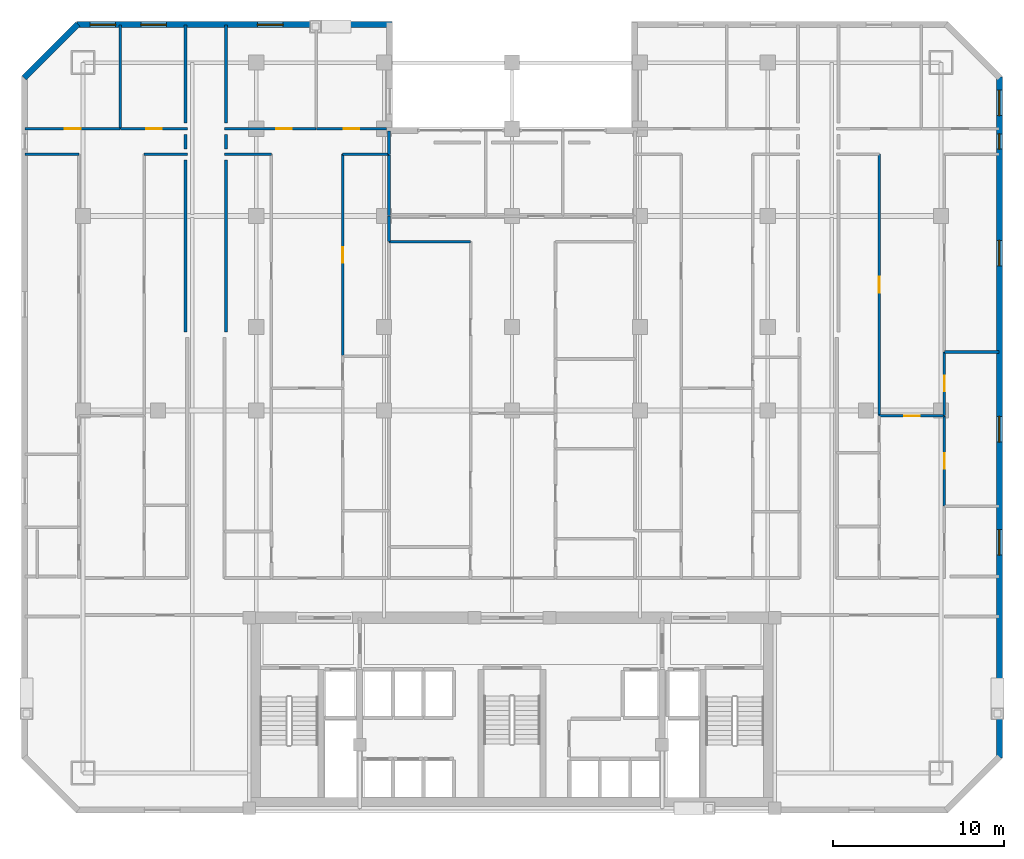
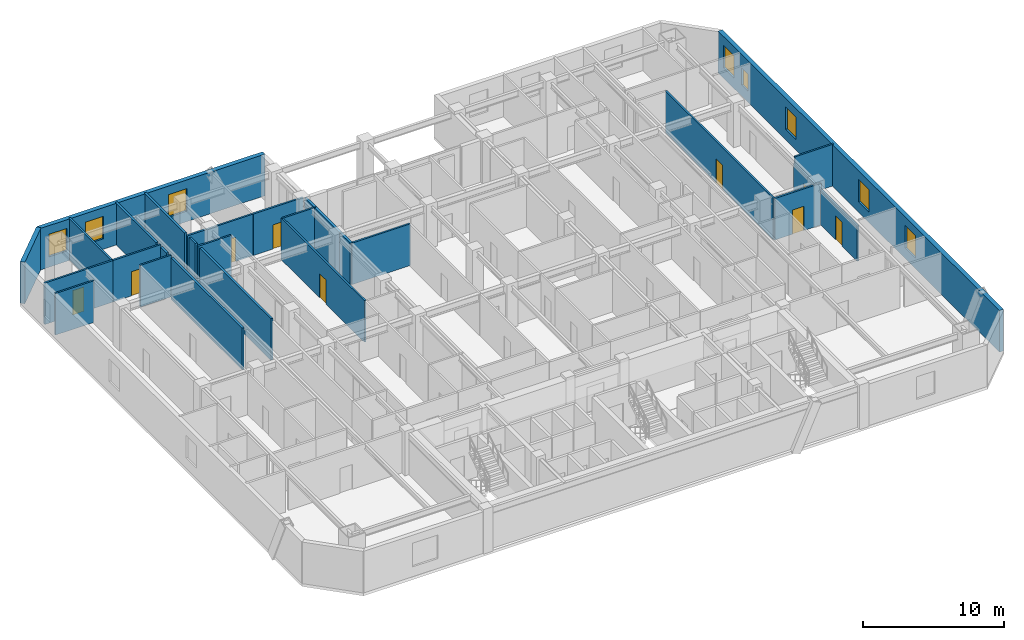
# One storey, part 11 of 14: 28 walls, 9 doors, 8 windows, 17 openings.
"""IFC4 building model written with IfcOpenShell, lengths in metres."""

from ifc_helpers import new_model, si_unit, direction, frame, frame_2d, origin, place, context, subcontext, project, spatial, rectangle, extrude, material, layer, layer_set, type_object, element, fill, save


model = new_model("IFC4")

# Units and contexts
model_context = context("Model", 3, precision=1e-05, world=origin(), true_north=direction((0.0, 1.0)))
body_context = subcontext(model_context, "Body", "Model", "MODEL_VIEW")
ifc_project = project(units=[si_unit("LENGTHUNIT", "METRE"), si_unit("AREAUNIT", "SQUARE_METRE"), si_unit("VOLUMEUNIT", "CUBIC_METRE"), si_unit("PLANEANGLEUNIT", "RADIAN"), si_unit("MASSUNIT", "GRAM", prefix="KILO")], contexts=[model_context])

# Site, building, storey
site_placement = place(None, origin())
site = spatial("IfcSite", under=ifc_project, at=site_placement, CompositionType="ELEMENT")
building_placement = place(site_placement, origin())
building = spatial("IfcBuilding", under=site, at=building_placement, Name="Ventersveld Concourse Tower", CompositionType="ELEMENT")
storey_placement = place(building_placement, frame((0.0, 0.0, 81.050048828125)))
storey = spatial("IfcBuildingStorey", under=building, at=storey_placement, Name="L19", CompositionType="ELEMENT", Elevation=81.050048828125)

# Walls
ifc_material_1 = material(Name="Fire-rated autoclaved aerated masonry blockwork", Category="masonry")
ifc_layer_1 = layer(ifc_material_1, 0.179931640625)
ifc_layer_set_1 = layer_set([ifc_layer_1], Name="Fire-rated autoclaved aerated masonry blockwork")
wall_type_1 = type_object("IfcWallType", Name="WL-CORR-180", PredefinedType="PARTITIONING", material=ifc_layer_set_1)
wall_1_placement = place(storey_placement, frame((9.6201171875, 39.794921875, 0.0), z_axis=(0.0, 0.0, 1.0), x_axis=(0.0, -1.0, 0.0)))
element("IfcWall", 1, at=wall_1_placement, inside=storey, type_object=wall_type_1, Name="L19 Room Enclosure Wall SP-L19-19NW-LIV", PredefinedType="PARTITIONING", context=body_context, shape_type="SweptSolid", body=[
    extrude(rectangle(XDim=0.849853515625, YDim=0.179931640625, at=frame_2d((0.4248046875, 0.0))), origin(), (0.0, 0.0, 1.0), 3.599853515625),
])
wall_2_placement = place(storey_placement, frame((9.6201171875, 38.294921875, 0.0), z_axis=(0.0, 0.0, 1.0), x_axis=(0.0, -1.0, 0.0)))
element("IfcWall", 2, at=wall_2_placement, inside=storey, type_object=wall_type_1, Name="L19 Room Enclosure Wall SP-L19-19NW-SEMR1", PredefinedType="PARTITIONING", context=body_context, shape_type="SweptSolid", body=[
    extrude(rectangle(XDim=10.0849609375, YDim=0.179931640625, at=frame_2d((5.04248046875, 0.0))), origin(), (0.0, 0.0, 1.0), 3.599853515625),
])
wall_3_placement = place(storey_placement, frame((9.6201171875, 46.18994140625, 0.0), z_axis=(0.0, 0.0, 1.0), x_axis=(0.0, -1.0, 0.0)))
element("IfcWall", 3, at=wall_3_placement, inside=storey, type_object=wall_type_1, Name="L19 Room Enclosure Wall SP-L19-19NW-BR2", PredefinedType="PARTITIONING", context=body_context, shape_type="SweptSolid", body=[
    extrude(rectangle(XDim=5.744873046875, YDim=0.179931640625, at=frame_2d((2.87255859375, 0.0))), origin(), (0.0, 0.0, 1.0), 3.599853515625),
])
wall_4_placement = place(storey_placement, frame((11.97998046875, 38.945068359375, 0.0), z_axis=(0.0, 0.0, 1.0), x_axis=(0.0, 1.0, 0.0)))
element("IfcWall", 4, at=wall_4_placement, inside=storey, type_object=wall_type_1, Name="L19 Room Enclosure Wall SP-L19-19CW-LIV", PredefinedType="PARTITIONING", context=body_context, shape_type="SweptSolid", body=[
    extrude(rectangle(XDim=0.849853515625, YDim=0.179931640625, at=frame_2d((0.4248046875, 0.0))), origin(), (0.0, 0.0, 1.0), 3.599853515625),
])
wall_5_placement = place(storey_placement, frame((11.97998046875, 28.2099609375, 0.0), z_axis=(0.0, 0.0, 1.0), x_axis=(0.0, 1.0, 0.0)))
element("IfcWall", 5, at=wall_5_placement, inside=storey, type_object=wall_type_1, Name="L19 Room Enclosure Wall SP-L19-19CW-MEDL0", PredefinedType="PARTITIONING", context=body_context, shape_type="SweptSolid", body=[
    extrude(rectangle(XDim=10.0849609375, YDim=0.179931640625, at=frame_2d((5.04248046875, 0.0))), origin(), (0.0, 0.0, 1.0), 3.599853515625),
])
wall_6_placement = place(storey_placement, frame((11.97998046875, 40.445068359375, 0.0), z_axis=(0.0, 0.0, 1.0), x_axis=(0.0, 1.0, 0.0)))
element("IfcWall", 6, at=wall_6_placement, inside=storey, type_object=wall_type_1, Name="L19 Room Enclosure Wall SP-L19-19CW-BR1", PredefinedType="PARTITIONING", context=body_context, shape_type="SweptSolid", body=[
    extrude(rectangle(XDim=5.744873046875, YDim=0.179931640625, at=frame_2d((2.87255859375, 0.0))), origin(), (0.0, 0.0, 1.0), 3.599853515625),
])
ifc_layer_2 = layer(ifc_material_1, 0.199951171875)
ifc_layer_set_2 = layer_set([ifc_layer_2], Name="Fire-rated autoclaved aerated masonry blockwork")
wall_type_2 = type_object("IfcWallType", Name="WL-DEMISE-200", PredefinedType="PARTITIONING", material=ifc_layer_set_2)
wall_7_placement = place(storey_placement, frame((21.5400390625, 38.614990234375, 0.0), z_axis=(0.0, 0.0, 1.0), x_axis=(0.0, 1.0, 0.0)))
element("IfcWall", 7, at=wall_7_placement, inside=storey, type_object=wall_type_2, Name="L19 Interior Partition SP-L19-19CW-LIV-SP-L19-19CM-BR1", PredefinedType="PARTITIONING", context=body_context, shape_type="SweptSolid", body=[
    extrude(rectangle(XDim=1.375, YDim=0.199951171875, at=frame_2d((0.6875, 0.0))), origin(), (0.0, 0.0, 1.0), 3.599853515625),
])
wall_8_placement = place(storey_placement, frame((21.5400390625, 33.4951171875, 0.0), z_axis=(0.0, 0.0, 1.0), x_axis=(0.0, 1.0, 0.0)))
element("IfcWall", 8, at=wall_8_placement, inside=storey, type_object=wall_type_2, Name="L19 Interior Partition SP-L19-19CW-DENS-SP-L19-19CM-LIV", PredefinedType="PARTITIONING", context=body_context, shape_type="SweptSolid", body=[
    extrude(rectangle(XDim=1.509765625, YDim=0.199951171875, at=frame_2d((0.7548828125, 0.0))), origin(), (0.0, 0.0, 1.0), 3.599853515625),
])
wall_9_placement = place(storey_placement, frame((21.5400390625, 35.034912109375, 0.0), z_axis=(0.0, 0.0, 1.0), x_axis=(0.0, 1.0, 0.0)))
element("IfcWall", 9, at=wall_9_placement, inside=storey, type_object=wall_type_2, Name="L19 Interior Partition SP-L19-19CW-DENS-SP-L19-19CM-BR1", PredefinedType="PARTITIONING", context=body_context, shape_type="SweptSolid", body=[
    extrude(rectangle(XDim=3.550048828125, YDim=0.199951171875, at=frame_2d((1.77490234375, 0.0))), origin(), (0.0, 0.0, 1.0), 3.599853515625),
])
ifc_material_2 = material(Name="Autoclaved aerated masonry blockwork", Category="masonry")
ifc_layer_3 = layer(ifc_material_2, 0.14990234375)
ifc_layer_set_3 = layer_set([ifc_layer_3], Name="Autoclaved aerated masonry blockwork")
wall_type_3 = type_object("IfcWallType", Name="WL-INT-150", PredefinedType="PARTITIONING", material=ifc_layer_set_3)
wall_10_placement = place(storey_placement, frame((0.2099609375, 38.6201171875, 0.0), z_axis=(0.0, 0.0, 1.0), x_axis=(1.0, 0.0, 0.0)))
element("IfcWall", 10, at=wall_10_placement, inside=storey, type_object=wall_type_3, Name="L19 Interior Partition SP-L19-19NW-LIV-SP-L19-19NW-DENL", PredefinedType="PARTITIONING", context=body_context, shape_type="SweptSolid", body=[
    extrude(rectangle(XDim=3.154052734375, YDim=0.14990234375, at=frame_2d((1.5771484375, 0.0))), origin(), (0.0, 0.0, 1.0), 3.599853515625),
])
wall_11_placement = place(storey_placement, frame((7.176025390625, 38.6201171875, 0.0), z_axis=(0.0, 0.0, 1.0), x_axis=(1.0, 0.0, 0.0)))
element("IfcWall", 11, at=wall_11_placement, inside=storey, type_object=wall_type_3, Name="L19 Interior Partition SP-L19-19NW-LIV-SP-L19-19NW-SEMR1", PredefinedType="PARTITIONING", context=body_context, shape_type="SweptSolid", body=[
    extrude(rectangle(XDim=2.5390625, YDim=0.14990234375, at=frame_2d((1.26953125, 0.0))), origin(), (0.0, 0.0, 1.0), 3.599853515625),
])

# Wall, opening, door
wall_12_placement = place(storey_placement, frame((0.2099609375, 40.1201171875, 0.0), z_axis=(0.0, 0.0, 1.0), x_axis=(1.0, 0.0, 0.0)))
wall_12 = element("IfcWall", 12, at=wall_12_placement, inside=storey, type_object=wall_type_3, Name="L19 Interior Partition SP-L19-19NW-LIV-SP-L19-19NW-BR1", PredefinedType="PARTITIONING", context=body_context, shape_type="SweptSolid", body=[
    extrude(rectangle(XDim=5.566162109375, YDim=0.14990234375, at=frame_2d((2.783203125, 0.0))), origin(), (0.0, 0.0, 1.0), 3.599853515625),
])
opening_1_placement = place(wall_12_placement, frame((2.322998046875, 0.0, 0.0)))
opening_1 = element("IfcOpeningElement", 13, at=opening_1_placement, cuts=wall_12, Name="Opening ID1", PredefinedType="OPENING", context=body_context, shape_type="SweptSolid", body=[
    extrude(rectangle(XDim=0.919921875, YDim=2.10009765625, at=frame_2d((0.4599609375, 1.050048828125))), frame((0.0, 0.0849609375, 0.0), z_axis=(0.0, -1.0, 0.0), x_axis=(1.0, 0.0, 0.0)), (0.0, 0.0, 1.0), 0.169921875),
])
ifc_material_3 = material(Name="Solid-core hardwood veneer timber", Category="wood")
door_type = type_object("IfcDoorType", Name="DR-ROOM-092", OperationType="NOTDEFINED", PredefinedType="DOOR", material=ifc_material_3)
door_1_placement = place(opening_1_placement, origin())
door_1 = element("IfcDoor", 14, at=door_1_placement, inside=storey, type_object=door_type, Name="L19 Interior Door SP-L19-19NW-LIV to SP-L19-19NW-BR1 (D-L19-0898)", OperationType="SINGLE_SWING_RIGHT", OverallHeight=2.10009765625, OverallWidth=0.919921875, PredefinedType="DOOR", context=body_context, shape_type="SweptSolid", body=[
    extrude(rectangle(XDim=0.919921875, YDim=2.10009765625, at=frame_2d((0.4599609375, 1.050048828125))), frame((0.0, 0.02490234375, 0.0), z_axis=(0.0, -1.0, 0.0), x_axis=(1.0, 0.0, 0.0)), (0.0, 0.0, 1.0), 0.050048828125),
])
fill(opening_1, door_1)

wall_13_placement = place(storey_placement, frame((5.80615234375, 40.1201171875, 0.0), z_axis=(0.0, 0.0, 1.0), x_axis=(1.0, 0.0, 0.0)))
wall_13 = element("IfcWall", 15, at=wall_13_placement, inside=storey, type_object=wall_type_3, Name="L19 Interior Partition SP-L19-19NW-LIV-SP-L19-19NW-BR2", PredefinedType="PARTITIONING", context=body_context, shape_type="SweptSolid", body=[
    extrude(rectangle(XDim=3.908935546875, YDim=0.14990234375, at=frame_2d((1.95458984375, 0.0))), origin(), (0.0, 0.0, 1.0), 3.599853515625),
])
opening_2_placement = place(wall_13_placement, frame((1.494384765625, 0.0, 0.0)))
opening_2 = element("IfcOpeningElement", 16, at=opening_2_placement, cuts=wall_13, Name="Opening ID1", PredefinedType="OPENING", context=body_context, shape_type="SweptSolid", body=[
    extrude(rectangle(XDim=0.919921875, YDim=2.10009765625, at=frame_2d((0.4599609375, 1.050048828125))), frame((0.0, 0.0849609375, 0.0), z_axis=(0.0, -1.0, 0.0), x_axis=(1.0, 0.0, 0.0)), (0.0, 0.0, 1.0), 0.169921875),
])
door_2_placement = place(opening_2_placement, origin())
door_2 = element("IfcDoor", 17, at=door_2_placement, inside=storey, type_object=door_type, Name="L19 Interior Door SP-L19-19NW-LIV to SP-L19-19NW-BR2 (D-L19-0899)", OperationType="SINGLE_SWING_LEFT", OverallHeight=2.10009765625, OverallWidth=0.919921875, PredefinedType="DOOR", context=body_context, shape_type="SweptSolid", body=[
    extrude(rectangle(XDim=0.919921875, YDim=2.10009765625, at=frame_2d((0.4599609375, 1.050048828125))), frame((0.0, 0.02490234375, 0.0), z_axis=(0.0, -1.0, 0.0), x_axis=(1.0, 0.0, 0.0)), (0.0, 0.0, 1.0), 0.050048828125),
])
fill(opening_2, door_2)

# Wall
wall_14_placement = place(storey_placement, frame((5.771240234375, 40.114990234375, 0.0), z_axis=(0.0, 0.0, 1.0), x_axis=(0.0, 1.0, 0.0)))
element("IfcWall", 18, at=wall_14_placement, inside=storey, type_object=wall_type_3, Name="L19 Interior Partition SP-L19-19NW-BR1-SP-L19-19NW-BR2", PredefinedType="PARTITIONING", context=body_context, shape_type="SweptSolid", body=[
    extrude(rectangle(XDim=6.074951171875, YDim=0.14990234375, at=frame_2d((3.03759765625, 0.0))), origin(), (0.0, 0.0, 1.0), 3.599853515625),
])

# Wall, opening, door
wall_15_placement = place(storey_placement, frame((50.27783203125, 23.2822265625, 0.0), z_axis=(0.0, 0.0, 1.0), x_axis=(1.0, 0.0, 0.0)))
wall_15 = element("IfcWall", 19, at=wall_15_placement, inside=storey, type_object=wall_type_3, Name="L19 Interior Partition SP-L19-19NE-FOY-SP-L19-19NE-LIV", PredefinedType="PARTITIONING", context=body_context, shape_type="SweptSolid", body=[
    extrude(rectangle(XDim=3.83203125, YDim=0.14990234375, at=frame_2d((1.916015625, 0.0))), origin(), (0.0, 0.0, 1.0), 3.599853515625),
])
opening_3_placement = place(wall_15_placement, frame((1.4560546875, 0.0, 0.0)))
opening_3 = element("IfcOpeningElement", 20, at=opening_3_placement, cuts=wall_15, Name="Opening ID1", PredefinedType="OPENING", context=body_context, shape_type="SweptSolid", body=[
    extrude(rectangle(XDim=0.919921875, YDim=2.10009765625, at=frame_2d((0.4599609375, 1.050048828125))), frame((0.0, 0.0849609375, 0.0), z_axis=(0.0, -1.0, 0.0), x_axis=(1.0, 0.0, 0.0)), (0.0, 0.0, 1.0), 0.169921875),
])
door_3_placement = place(opening_3_placement, origin())
door_3 = element("IfcDoor", 21, at=door_3_placement, inside=storey, type_object=door_type, Name="L19 Interior Door SP-L19-19NE-FOY to SP-L19-19NE-LIV (D-L19-0900)", OperationType="SINGLE_SWING_RIGHT", OverallHeight=2.10009765625, OverallWidth=0.919921875, PredefinedType="DOOR", context=body_context, shape_type="SweptSolid", body=[
    extrude(rectangle(XDim=0.919921875, YDim=2.10009765625, at=frame_2d((0.4599609375, 1.050048828125))), frame((0.0, 0.02490234375, 0.0), z_axis=(0.0, -1.0, 0.0), x_axis=(1.0, 0.0, 0.0)), (0.0, 0.0, 1.0), 0.050048828125),
])
fill(opening_3, door_3)

wall_16_placement = place(storey_placement, frame((54.104736328125, 18.009765625, 0.0), z_axis=(0.0, 0.0, 1.0), x_axis=(0.0, 1.0, 0.0)))
wall_16 = element("IfcWall", 22, at=wall_16_placement, inside=storey, type_object=wall_type_3, Name="L19 Interior Partition SP-L19-19NE-FOY-SP-L19-19NE-DENR", PredefinedType="PARTITIONING", context=body_context, shape_type="SweptSolid", body=[
    extrude(rectangle(XDim=5.27734375, YDim=0.14990234375, at=frame_2d((2.638671875, 0.0))), origin(), (0.0, 0.0, 1.0), 3.055419921875),
])
opening_4_placement = place(wall_16_placement, frame((2.1787109375, 0.0, 0.0)))
opening_4 = element("IfcOpeningElement", 23, at=opening_4_placement, cuts=wall_16, Name="Opening ID1", PredefinedType="OPENING", context=body_context, shape_type="SweptSolid", body=[
    extrude(rectangle(XDim=0.919921875, YDim=2.10009765625, at=frame_2d((0.4599609375, 1.050048828125))), frame((0.0, 0.0849609375, 0.0), z_axis=(0.0, -1.0, 0.0), x_axis=(1.0, 0.0, 0.0)), (0.0, 0.0, 1.0), 0.169921875),
])
door_4_placement = place(opening_4_placement, origin())
door_4 = element("IfcDoor", 24, at=door_4_placement, inside=storey, type_object=door_type, Name="L19 Interior Door SP-L19-19NE-FOY to SP-L19-19NE-DENR (D-L19-0905)", OperationType="SINGLE_SWING_LEFT", OverallHeight=2.10009765625, OverallWidth=0.919921875, PredefinedType="DOOR", context=body_context, shape_type="SweptSolid", body=[
    extrude(rectangle(XDim=0.919921875, YDim=2.10009765625, at=frame_2d((0.4599609375, 1.050048828125))), frame((0.0, 0.02490234375, 0.0), z_axis=(0.0, -1.0, 0.0), x_axis=(1.0, 0.0, 0.0)), (0.0, 0.0, 1.0), 0.050048828125),
])
fill(opening_4, door_4)

wall_17_placement = place(storey_placement, frame((50.28271484375, 23.317138671875, 0.0), z_axis=(0.0, 0.0, 1.0), x_axis=(0.0, 1.0, 0.0)))
wall_17 = element("IfcWall", 25, at=wall_17_placement, inside=storey, type_object=wall_type_3, Name="L19 Interior Partition SP-L19-19NE-LIV-SP-L19-19NE-DENL", PredefinedType="PARTITIONING", context=body_context, shape_type="SweptSolid", body=[
    extrude(rectangle(XDim=15.307861328125, YDim=0.14990234375, at=frame_2d((7.65380859375, 0.0))), origin(), (0.0, 0.0, 1.0), 3.599853515625),
])
opening_5_placement = place(wall_17_placement, frame((7.19384765625, 0.0, 0.0)))
opening_5 = element("IfcOpeningElement", 26, at=opening_5_placement, cuts=wall_17, Name="Opening ID1", PredefinedType="OPENING", context=body_context, shape_type="SweptSolid", body=[
    extrude(rectangle(XDim=0.919921875, YDim=2.10009765625, at=frame_2d((0.4599609375, 1.050048828125))), frame((0.0, 0.0849609375, 0.0), z_axis=(0.0, -1.0, 0.0), x_axis=(1.0, 0.0, 0.0)), (0.0, 0.0, 1.0), 0.169921875),
])
door_5_placement = place(opening_5_placement, origin())
door_5 = element("IfcDoor", 27, at=door_5_placement, inside=storey, type_object=door_type, Name="L19 Interior Door SP-L19-19NE-LIV to SP-L19-19NE-DENL (D-L19-0906)", OperationType="SINGLE_SWING_RIGHT", OverallHeight=2.10009765625, OverallWidth=0.919921875, PredefinedType="DOOR", context=body_context, shape_type="SweptSolid", body=[
    extrude(rectangle(XDim=0.919921875, YDim=2.10009765625, at=frame_2d((0.4599609375, 1.050048828125))), frame((0.0, 0.02490234375, 0.0), z_axis=(0.0, -1.0, 0.0), x_axis=(1.0, 0.0, 0.0)), (0.0, 0.0, 1.0), 0.050048828125),
])
fill(opening_5, door_5)

wall_18_placement = place(storey_placement, frame((54.104736328125, 23.317138671875, 0.0), z_axis=(0.0, 0.0, 1.0), x_axis=(0.0, 1.0, 0.0)))
wall_18 = element("IfcWall", 28, at=wall_18_placement, inside=storey, type_object=wall_type_3, Name="L19 Interior Partition SP-L19-19NE-LIV-SP-L19-19NE-DENR", PredefinedType="PARTITIONING", context=body_context, shape_type="SweptSolid", body=[
    extrude(rectangle(XDim=3.716796875, YDim=0.14990234375, at=frame_2d((1.8583984375, 0.0))), origin(), (0.0, 0.0, 1.0), 3.055419921875),
])
opening_6_placement = place(wall_18_placement, frame((1.3984375, 0.0, 0.0)))
opening_6 = element("IfcOpeningElement", 29, at=opening_6_placement, cuts=wall_18, Name="Opening ID1", PredefinedType="OPENING", context=body_context, shape_type="SweptSolid", body=[
    extrude(rectangle(XDim=0.919921875, YDim=2.10009765625, at=frame_2d((0.4599609375, 1.050048828125))), frame((0.0, 0.0849609375, 0.0), z_axis=(0.0, -1.0, 0.0), x_axis=(1.0, 0.0, 0.0)), (0.0, 0.0, 1.0), 0.169921875),
])
door_6_placement = place(opening_6_placement, origin())
door_6 = element("IfcDoor", 30, at=door_6_placement, inside=storey, type_object=door_type, Name="L19 Interior Door SP-L19-19NE-LIV to SP-L19-19NE-DENR (D-L19-0907)", OperationType="SINGLE_SWING_LEFT", OverallHeight=2.10009765625, OverallWidth=0.919921875, PredefinedType="DOOR", context=body_context, shape_type="SweptSolid", body=[
    extrude(rectangle(XDim=0.919921875, YDim=2.10009765625, at=frame_2d((0.4599609375, 1.050048828125))), frame((0.0, 0.02490234375, 0.0), z_axis=(0.0, -1.0, 0.0), x_axis=(1.0, 0.0, 0.0)), (0.0, 0.0, 1.0), 0.050048828125),
])
fill(opening_6, door_6)

# Walls
wall_19_placement = place(storey_placement, frame((54.099853515625, 27.029052734375, 0.0), z_axis=(0.0, 0.0, 1.0), x_axis=(1.0, 0.0, 0.0)))
element("IfcWall", 31, at=wall_19_placement, inside=storey, type_object=wall_type_3, Name="L19 Interior Partition SP-L19-19NE-DENR-SP-L19-19NE-DENS", PredefinedType="PARTITIONING", context=body_context, shape_type="SweptSolid", body=[
    extrude(rectangle(XDim=3.190185546875, YDim=0.14990234375, at=frame_2d((1.59521484375, 0.0))), origin(), (0.0, 0.0, 1.0), 3.599853515625),
])
wall_20_placement = place(storey_placement, frame((11.885009765625, 38.6201171875, 0.0), z_axis=(0.0, 0.0, 1.0), x_axis=(1.0, 0.0, 0.0)))
element("IfcWall", 32, at=wall_20_placement, inside=storey, type_object=wall_type_3, Name="L19 Interior Partition SP-L19-19CW-LIV-SP-L19-19CW-MEDL0", PredefinedType="PARTITIONING", context=body_context, shape_type="SweptSolid", body=[
    extrude(rectangle(XDim=2.7666015625, YDim=0.14990234375, at=frame_2d((1.38330078125, 0.0))), origin(), (0.0, 0.0, 1.0), 3.599853515625),
])

# Wall, opening, door
wall_21_placement = place(storey_placement, frame((18.82275390625, 26.822998046875, 0.0), z_axis=(0.0, 0.0, 1.0), x_axis=(0.0, 1.0, 0.0)))
wall_21 = element("IfcWall", 33, at=wall_21_placement, inside=storey, type_object=wall_type_3, Name="L19 Interior Partition SP-L19-19CW-LIV-SP-L19-19CW-DENS", PredefinedType="PARTITIONING", context=body_context, shape_type="SweptSolid", body=[
    extrude(rectangle(XDim=11.802001953125, YDim=0.14990234375, at=frame_2d((5.90087890625, 0.0))), origin(), (0.0, 0.0, 1.0), 3.599853515625),
])
opening_7_placement = place(wall_21_placement, frame((5.44091796875, 0.0, 0.0)))
opening_7 = element("IfcOpeningElement", 34, at=opening_7_placement, cuts=wall_21, Name="Opening ID1", PredefinedType="OPENING", context=body_context, shape_type="SweptSolid", body=[
    extrude(rectangle(XDim=0.919921875, YDim=2.10009765625, at=frame_2d((0.4599609375, 1.050048828125))), frame((0.0, 0.0849609375, 0.0), z_axis=(0.0, -1.0, 0.0), x_axis=(1.0, 0.0, 0.0)), (0.0, 0.0, 1.0), 0.169921875),
])
door_7_placement = place(opening_7_placement, origin())
door_7 = element("IfcDoor", 35, at=door_7_placement, inside=storey, type_object=door_type, Name="L19 Interior Door SP-L19-19CW-LIV to SP-L19-19CW-DENS (D-L19-0918)", OperationType="SINGLE_SWING_RIGHT", OverallHeight=2.10009765625, OverallWidth=0.919921875, PredefinedType="DOOR", context=body_context, shape_type="SweptSolid", body=[
    extrude(rectangle(XDim=0.919921875, YDim=2.10009765625, at=frame_2d((0.4599609375, 1.050048828125))), frame((0.0, 0.02490234375, 0.0), z_axis=(0.0, -1.0, 0.0), x_axis=(1.0, 0.0, 0.0)), (0.0, 0.0, 1.0), 0.050048828125),
])
fill(opening_7, door_7)

# Wall
wall_22_placement = place(storey_placement, frame((18.81787109375, 38.6201171875, 0.0), z_axis=(0.0, 0.0, 1.0), x_axis=(1.0, 0.0, 0.0)))
element("IfcWall", 36, at=wall_22_placement, inside=storey, type_object=wall_type_3, Name="L19 Interior Partition SP-L19-19CW-LIV-SP-L19-19CW-DENS", PredefinedType="PARTITIONING", context=body_context, shape_type="SweptSolid", body=[
    extrude(rectangle(XDim=2.72705078125, YDim=0.14990234375, at=frame_2d((1.363525390625, 0.0))), origin(), (0.0, 0.0, 1.0), 3.599853515625),
])

# Wall, opening, door
wall_23_placement = place(storey_placement, frame((11.885009765625, 40.1201171875, 0.0), z_axis=(0.0, 0.0, 1.0), x_axis=(1.0, 0.0, 0.0)))
wall_23 = element("IfcWall", 37, at=wall_23_placement, inside=storey, type_object=wall_type_3, Name="L19 Interior Partition SP-L19-19CW-LIV-SP-L19-19CW-BR1", PredefinedType="PARTITIONING", context=body_context, shape_type="SweptSolid", body=[
    extrude(rectangle(XDim=5.381591796875, YDim=0.14990234375, at=frame_2d((2.69091796875, 0.0))), origin(), (0.0, 0.0, 1.0), 3.599853515625),
])
opening_8_placement = place(wall_23_placement, frame((3.0380859375, 0.0, 0.0)))
opening_8 = element("IfcOpeningElement", 38, at=opening_8_placement, cuts=wall_23, Name="Opening ID1", PredefinedType="OPENING", context=body_context, shape_type="SweptSolid", body=[
    extrude(rectangle(XDim=0.919921875, YDim=2.10009765625, at=frame_2d((0.4599609375, 1.050048828125))), frame((0.0, 0.0849609375, 0.0), z_axis=(0.0, -1.0, 0.0), x_axis=(1.0, 0.0, 0.0)), (0.0, 0.0, 1.0), 0.169921875),
])
door_8_placement = place(opening_8_placement, origin())
door_8 = element("IfcDoor", 39, at=door_8_placement, inside=storey, type_object=door_type, Name="L19 Interior Door SP-L19-19CW-LIV to SP-L19-19CW-BR1 (D-L19-0919)", OperationType="SINGLE_SWING_LEFT", OverallHeight=2.10009765625, OverallWidth=0.919921875, PredefinedType="DOOR", context=body_context, shape_type="SweptSolid", body=[
    extrude(rectangle(XDim=0.919921875, YDim=2.10009765625, at=frame_2d((0.4599609375, 1.050048828125))), frame((0.0, 0.02490234375, 0.0), z_axis=(0.0, -1.0, 0.0), x_axis=(1.0, 0.0, 0.0)), (0.0, 0.0, 1.0), 0.050048828125),
])
fill(opening_8, door_8)

wall_24_placement = place(storey_placement, frame((17.29638671875, 40.1201171875, 0.0), z_axis=(0.0, 0.0, 1.0), x_axis=(1.0, 0.0, 0.0)))
wall_24 = element("IfcWall", 40, at=wall_24_placement, inside=storey, type_object=wall_type_3, Name="L19 Interior Partition SP-L19-19CW-LIV-SP-L19-19CW-BR2", PredefinedType="PARTITIONING", context=body_context, shape_type="SweptSolid", body=[
    extrude(rectangle(XDim=4.096923828125, YDim=0.14990234375, at=frame_2d((2.04833984375, 0.0))), origin(), (0.0, 0.0, 1.0), 3.599853515625),
])
opening_9_placement = place(wall_24_placement, frame((1.58837890625, 0.0, 0.0)))
opening_9 = element("IfcOpeningElement", 41, at=opening_9_placement, cuts=wall_24, Name="Opening ID1", PredefinedType="OPENING", context=body_context, shape_type="SweptSolid", body=[
    extrude(rectangle(XDim=0.919921875, YDim=2.10009765625, at=frame_2d((0.4599609375, 1.050048828125))), frame((0.0, 0.0849609375, 0.0), z_axis=(0.0, -1.0, 0.0), x_axis=(1.0, 0.0, 0.0)), (0.0, 0.0, 1.0), 0.169921875),
])
door_9_placement = place(opening_9_placement, origin())
door_9 = element("IfcDoor", 42, at=door_9_placement, inside=storey, type_object=door_type, Name="L19 Interior Door SP-L19-19CW-LIV to SP-L19-19CW-BR2 (D-L19-0920)", OperationType="SINGLE_SWING_RIGHT", OverallHeight=2.10009765625, OverallWidth=0.919921875, PredefinedType="DOOR", context=body_context, shape_type="SweptSolid", body=[
    extrude(rectangle(XDim=0.919921875, YDim=2.10009765625, at=frame_2d((0.4599609375, 1.050048828125))), frame((0.0, 0.02490234375, 0.0), z_axis=(0.0, -1.0, 0.0), x_axis=(1.0, 0.0, 0.0)), (0.0, 0.0, 1.0), 0.050048828125),
])
fill(opening_9, door_9)

# Wall
wall_25_placement = place(storey_placement, frame((21.534912109375, 33.5, 0.0), z_axis=(0.0, 0.0, 1.0), x_axis=(1.0, 0.0, 0.0)))
element("IfcWall", 43, at=wall_25_placement, inside=storey, type_object=wall_type_3, Name="L19 Interior Partition SP-L19-19CM-LIV-SP-L19-19CM-SEML0", PredefinedType="PARTITIONING", context=body_context, shape_type="SweptSolid", body=[
    extrude(rectangle(XDim=4.789306640625, YDim=0.14990234375, at=frame_2d((2.39453125, 0.0))), origin(), (0.0, 0.0, 1.0), 3.599853515625),
])

# Wall, openings, windows
ifc_material_4 = material(Name="Precast concrete C45/55", Category="concrete")
ifc_layer_4 = layer(ifc_material_4, 0.35009765625)
ifc_layer_set_4 = layer_set([ifc_layer_4], Name="Precast concrete C45/55")
wall_type_4 = type_object("IfcWallType", Name="WL-PREC-350", PredefinedType="SOLIDWALL", material=ifc_layer_set_4)
wall_26_placement = place(storey_placement, frame((57.324951171875, 3.239990234375, 0.0), z_axis=(0.0, 0.0, 1.0), x_axis=(0.0, 1.0, 0.0)))
wall_26 = element("IfcWall", 44, at=wall_26_placement, inside=storey, type_object=wall_type_4, Name="L19 Highveld Precast Facade Wall E03", PredefinedType="SOLIDWALL", context=body_context, shape_type="SweptSolid", body=[
    extrude(rectangle(XDim=39.919921875, YDim=0.35009765625, at=frame_2d((19.9599609375, 0.0))), origin(), (0.0, 0.0, 1.0), 3.599853515625),
])
opening_10_placement = place(wall_26_placement, frame((35.679931640625, 0.0, 0.949951171875)))
opening_10 = element("IfcOpeningElement", 45, at=opening_10_placement, cuts=wall_26, Name="Opening W4", PredefinedType="OPENING", context=body_context, shape_type="SweptSolid", body=[
    extrude(rectangle(XDim=0.89990234375, YDim=1.5, at=frame_2d((0.449951171875, 0.75))), frame((0.0, 0.18505859375, 0.0), z_axis=(0.0, -1.0, 0.0), x_axis=(1.0, 0.0, 0.0)), (0.0, 0.0, 1.0), 0.3701171875),
])
opening_11_placement = place(wall_26_placement, frame((11.88232421875, 0.0, 0.89990234375)))
opening_11 = element("IfcOpeningElement", 46, at=opening_11_placement, cuts=wall_26, Name="Opening W1", PredefinedType="OPENING", context=body_context, shape_type="SweptSolid", body=[
    extrude(rectangle(XDim=1.5, YDim=1.949951171875, at=frame_2d((0.75, 0.97509765625))), frame((0.0, 0.18505859375, 0.0), z_axis=(0.0, -1.0, 0.0), x_axis=(1.0, 0.0, 0.0)), (0.0, 0.0, 1.0), 0.3701171875),
])
opening_12_placement = place(wall_26_placement, frame((18.511962890625, 0.0, 0.89990234375)))
opening_12 = element("IfcOpeningElement", 47, at=opening_12_placement, cuts=wall_26, Name="Opening W1", PredefinedType="OPENING", context=body_context, shape_type="SweptSolid", body=[
    extrude(rectangle(XDim=1.5, YDim=1.949951171875, at=frame_2d((0.75, 0.97509765625))), frame((0.0, 0.18505859375, 0.0), z_axis=(0.0, -1.0, 0.0), x_axis=(1.0, 0.0, 0.0)), (0.0, 0.0, 1.0), 0.3701171875),
])
opening_13_placement = place(wall_26_placement, frame((28.83447265625, 0.0, 0.89990234375)))
opening_13 = element("IfcOpeningElement", 48, at=opening_13_placement, cuts=wall_26, Name="Opening W1", PredefinedType="OPENING", context=body_context, shape_type="SweptSolid", body=[
    extrude(rectangle(XDim=1.5, YDim=1.949951171875, at=frame_2d((0.75, 0.97509765625))), frame((0.0, 0.18505859375, 0.0), z_axis=(0.0, -1.0, 0.0), x_axis=(1.0, 0.0, 0.0)), (0.0, 0.0, 1.0), 0.3701171875),
])
opening_14_placement = place(wall_26_placement, frame((37.64990234375, 0.0, 0.89990234375)))
opening_14 = element("IfcOpeningElement", 49, at=opening_14_placement, cuts=wall_26, Name="Opening W1", PredefinedType="OPENING", context=body_context, shape_type="SweptSolid", body=[
    extrude(rectangle(XDim=1.5, YDim=1.949951171875, at=frame_2d((0.75, 0.97509765625))), frame((0.0, 0.18505859375, 0.0), z_axis=(0.0, -1.0, 0.0), x_axis=(1.0, 0.0, 0.0)), (0.0, 0.0, 1.0), 0.3701171875),
])
ifc_material_5 = material(Name="Tempered acoustic Low-E IGU", Category="glass")
window_type_1 = type_object("IfcWindowType", Name="WIN-090x150", PartitioningType="SINGLE_PANEL", PredefinedType="WINDOW", material=ifc_material_5)
window_1_placement = place(opening_10_placement, origin())
window_1 = element("IfcWindow", 50, at=window_1_placement, inside=storey, type_object=window_type_1, Name="L19 Punched Low-E Window W-0196", OverallHeight=1.5, OverallWidth=0.89990234375, PartitioningType="SINGLE_PANEL", PredefinedType="WINDOW", context=body_context, shape_type="SweptSolid", body=[
    extrude(rectangle(XDim=0.89990234375, YDim=1.5, at=frame_2d((0.449951171875, 0.75))), frame((0.0, 0.030029296875, 0.0), z_axis=(0.0, -1.0, 0.0), x_axis=(1.0, 0.0, 0.0)), (0.0, 0.0, 1.0), 0.06005859375),
])
fill(opening_10, window_1)
window_type_2 = type_object("IfcWindowType", Name="WIN-150x210", PartitioningType="SINGLE_PANEL", PredefinedType="WINDOW", material=ifc_material_5)
window_2_placement = place(opening_11_placement, origin())
window_2 = element("IfcWindow", 51, at=window_2_placement, inside=storey, type_object=window_type_2, Name="L19 Punched Low-E Window W-0197", OverallHeight=1.949951171875, OverallWidth=1.5, PartitioningType="SINGLE_PANEL", PredefinedType="WINDOW", context=body_context, shape_type="SweptSolid", body=[
    extrude(rectangle(XDim=1.5, YDim=1.949951171875, at=frame_2d((0.75, 0.97509765625))), frame((0.0, 0.030029296875, 0.0), z_axis=(0.0, -1.0, 0.0), x_axis=(1.0, 0.0, 0.0)), (0.0, 0.0, 1.0), 0.06005859375),
])
fill(opening_11, window_2)
window_3_placement = place(opening_12_placement, origin())
window_3 = element("IfcWindow", 52, at=window_3_placement, inside=storey, type_object=window_type_2, Name="L19 Punched Low-E Window W-0198", OverallHeight=1.949951171875, OverallWidth=1.5, PartitioningType="SINGLE_PANEL", PredefinedType="WINDOW", context=body_context, shape_type="SweptSolid", body=[
    extrude(rectangle(XDim=1.5, YDim=1.949951171875, at=frame_2d((0.75, 0.97509765625))), frame((0.0, 0.030029296875, 0.0), z_axis=(0.0, -1.0, 0.0), x_axis=(1.0, 0.0, 0.0)), (0.0, 0.0, 1.0), 0.06005859375),
])
fill(opening_12, window_3)
window_4_placement = place(opening_13_placement, origin())
window_4 = element("IfcWindow", 53, at=window_4_placement, inside=storey, type_object=window_type_2, Name="L19 Punched Low-E Window W-0199", OverallHeight=1.949951171875, OverallWidth=1.5, PartitioningType="SINGLE_PANEL", PredefinedType="WINDOW", context=body_context, shape_type="SweptSolid", body=[
    extrude(rectangle(XDim=1.5, YDim=1.949951171875, at=frame_2d((0.75, 0.97509765625))), frame((0.0, 0.030029296875, 0.0), z_axis=(0.0, -1.0, 0.0), x_axis=(1.0, 0.0, 0.0)), (0.0, 0.0, 1.0), 0.06005859375),
])
fill(opening_13, window_4)
window_5_placement = place(opening_14_placement, origin())
window_5 = element("IfcWindow", 54, at=window_5_placement, inside=storey, type_object=window_type_2, Name="L19 Punched Low-E Window W-0201", OverallHeight=1.949951171875, OverallWidth=1.5, PartitioningType="SINGLE_PANEL", PredefinedType="WINDOW", context=body_context, shape_type="SweptSolid", body=[
    extrude(rectangle(XDim=1.5, YDim=1.949951171875, at=frame_2d((0.75, 0.97509765625))), frame((0.0, 0.030029296875, 0.0), z_axis=(0.0, -1.0, 0.0), x_axis=(1.0, 0.0, 0.0)), (0.0, 0.0, 1.0), 0.06005859375),
])
fill(opening_14, window_5)

wall_27_placement = place(storey_placement, frame((21.7099609375, 46.22509765625, 0.0), z_axis=(0.0, 0.0, 1.0), x_axis=(-1.0, 0.0, 0.0)))
wall_27 = element("IfcWall", 55, at=wall_27_placement, inside=storey, type_object=wall_type_4, Name="L19 Highveld Precast Facade Wall E09", PredefinedType="SOLIDWALL", context=body_context, shape_type="SweptSolid", body=[
    extrude(rectangle(XDim=18.469970703125, YDim=0.35009765625, at=frame_2d((9.23486328125, 0.0))), origin(), (0.0, 0.0, 1.0), 3.599853515625),
])
opening_15_placement = place(wall_27_placement, frame((16.199951171875, 0.0, 0.89990234375)))
opening_15 = element("IfcOpeningElement", 56, at=opening_15_placement, cuts=wall_27, Name="Opening W1", PredefinedType="OPENING", context=body_context, shape_type="SweptSolid", body=[
    extrude(rectangle(XDim=1.5, YDim=1.949951171875, at=frame_2d((0.75, 0.97509765625))), frame((0.0, 0.18505859375, 0.0), z_axis=(0.0, -1.0, 0.0), x_axis=(1.0, 0.0, 0.0)), (0.0, 0.0, 1.0), 0.3701171875),
])
opening_16_placement = place(wall_27_placement, frame((13.219482421875, 0.0, 0.89990234375)))
opening_16 = element("IfcOpeningElement", 57, at=opening_16_placement, cuts=wall_27, Name="Opening W1", PredefinedType="OPENING", context=body_context, shape_type="SweptSolid", body=[
    extrude(rectangle(XDim=1.5, YDim=1.949951171875, at=frame_2d((0.75, 0.97509765625))), frame((0.0, 0.18505859375, 0.0), z_axis=(0.0, -1.0, 0.0), x_axis=(1.0, 0.0, 0.0)), (0.0, 0.0, 1.0), 0.3701171875),
])
opening_17_placement = place(wall_27_placement, frame((6.38427734375, 0.0, 0.89990234375)))
opening_17 = element("IfcOpeningElement", 58, at=opening_17_placement, cuts=wall_27, Name="Opening W1", PredefinedType="OPENING", context=body_context, shape_type="SweptSolid", body=[
    extrude(rectangle(XDim=1.5, YDim=1.949951171875, at=frame_2d((0.75, 0.97509765625))), frame((0.0, 0.18505859375, 0.0), z_axis=(0.0, -1.0, 0.0), x_axis=(1.0, 0.0, 0.0)), (0.0, 0.0, 1.0), 0.3701171875),
])
window_6_placement = place(opening_15_placement, origin())
window_6 = element("IfcWindow", 59, at=window_6_placement, inside=storey, type_object=window_type_2, Name="L19 Punched Low-E Window W-0194", OverallHeight=1.949951171875, OverallWidth=1.5, PartitioningType="SINGLE_PANEL", PredefinedType="WINDOW", context=body_context, shape_type="SweptSolid", body=[
    extrude(rectangle(XDim=1.5, YDim=1.949951171875, at=frame_2d((0.75, 0.97509765625))), frame((0.0, 0.030029296875, 0.0), z_axis=(0.0, -1.0, 0.0), x_axis=(1.0, 0.0, 0.0)), (0.0, 0.0, 1.0), 0.06005859375),
])
fill(opening_15, window_6)
window_7_placement = place(opening_16_placement, origin())
window_7 = element("IfcWindow", 60, at=window_7_placement, inside=storey, type_object=window_type_2, Name="L19 Punched Low-E Window W-0195", OverallHeight=1.949951171875, OverallWidth=1.5, PartitioningType="SINGLE_PANEL", PredefinedType="WINDOW", context=body_context, shape_type="SweptSolid", body=[
    extrude(rectangle(XDim=1.5, YDim=1.949951171875, at=frame_2d((0.75, 0.97509765625))), frame((0.0, 0.030029296875, 0.0), z_axis=(0.0, -1.0, 0.0), x_axis=(1.0, 0.0, 0.0)), (0.0, 0.0, 1.0), 0.06005859375),
])
fill(opening_16, window_7)
window_8_placement = place(opening_17_placement, origin())
window_8 = element("IfcWindow", 61, at=window_8_placement, inside=storey, type_object=window_type_2, Name="L19 Punched Low-E Window W-0202", OverallHeight=1.949951171875, OverallWidth=1.5, PartitioningType="SINGLE_PANEL", PredefinedType="WINDOW", context=body_context, shape_type="SweptSolid", body=[
    extrude(rectangle(XDim=1.5, YDim=1.949951171875, at=frame_2d((0.75, 0.97509765625))), frame((0.0, 0.030029296875, 0.0), z_axis=(0.0, -1.0, 0.0), x_axis=(1.0, 0.0, 0.0)), (0.0, 0.0, 1.0), 0.06005859375),
])
fill(opening_17, window_8)

# Wall
wall_28_placement = place(storey_placement, frame((3.29541015625, 46.248046875, 0.0), z_axis=(0.0, 0.0, 1.0), x_axis=(-0.707079321262, -0.707134240044, 0.0)))
element("IfcWall", 62, at=wall_28_placement, inside=storey, type_object=wall_type_4, Name="L19 Highveld Precast Facade Wall E10", PredefinedType="SOLIDWALL", context=body_context, shape_type="SweptSolid", body=[
    extrude(rectangle(XDim=4.445556640625, YDim=0.35009765625, at=frame_2d((2.22265625, 0.0))), origin(), (0.0, 0.0, 1.0), 3.599853515625),
])

save(model, "model.ifc")
